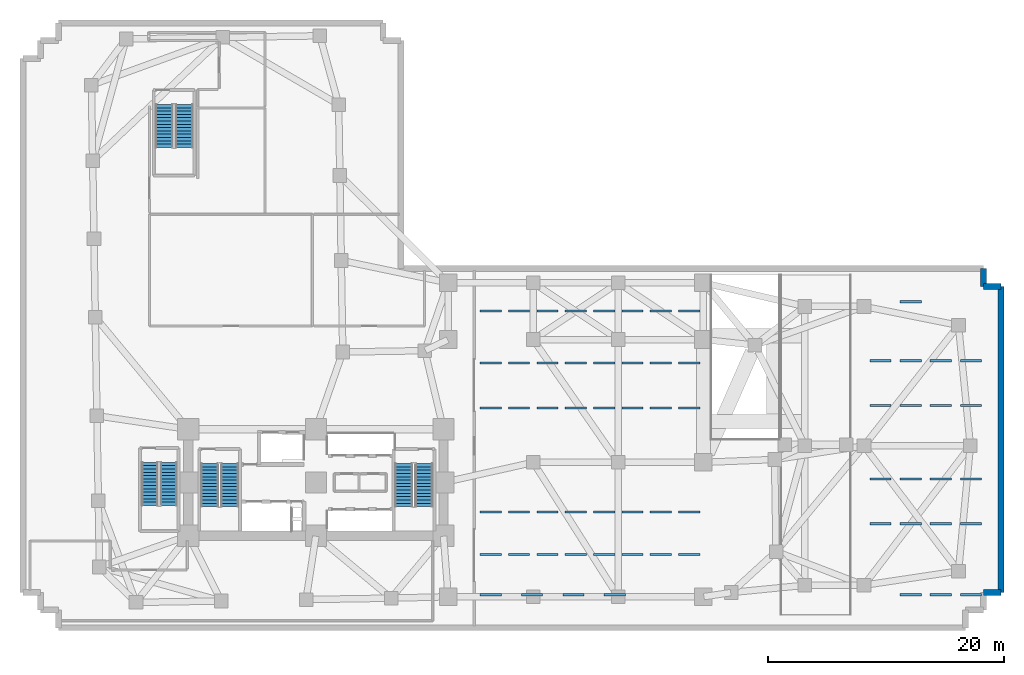
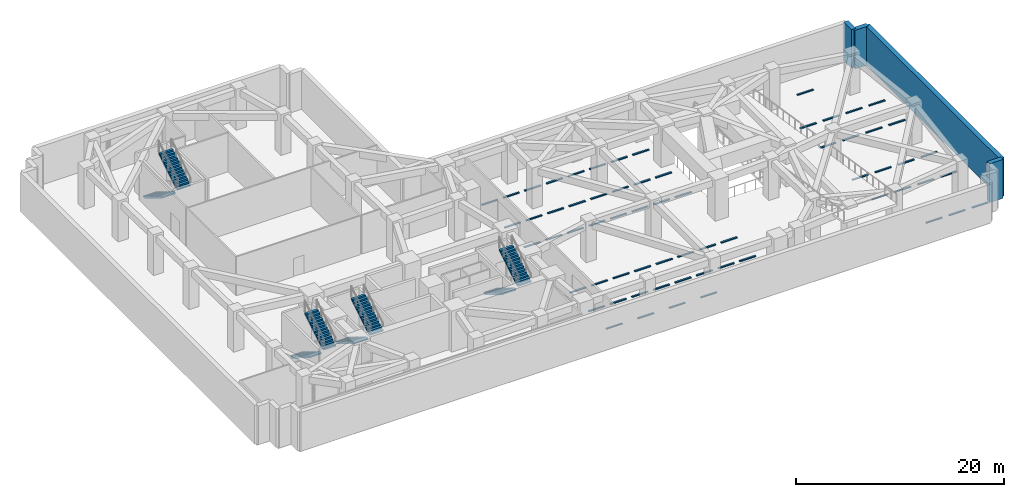
# One storey, part 7 of 11: 64 discrete accessories, 8 stair flights, 4 walls, 4 elements without a shape of their own.
"""IFC4 building model written with IfcOpenShell, lengths in metres."""

import ifcopenshell
import ifcopenshell.guid

model = None  # the IFC model being written
_history = None  # IfcOwnerHistory: only IFC2X3 demands one
_inside = {}  # id of a spatial element -> (the spatial element, [elements in it])
_under = {}  # id of a project, library or spatial element -> (it, [spatial elements below it])
_declared = {}  # id of a project -> (the project, [libraries it declares])
_typed = {}  # id of a type object -> (the type object, [elements of that type])
_made_of = {}  # id of a material, layer set ... -> (it, [elements and type objects made of it])


def new_model(schema):
    """Start an empty IFC model of exactly this schema.

    Asked for "IFC4X3", IfcOpenShell would pick the latest addendum, in which some entities
    have other attributes; the version numbers below select the first issue.
    IFC2X3 requires an IfcOwnerHistory on every rooted entity: one is made here for all.
    """
    global model, _history
    if schema == "IFC4X3":
        model = ifcopenshell.file(schema_version=(4, 3, 0, 0))
    else:
        model = ifcopenshell.file(schema=schema)
    _inside.clear()
    _under.clear()
    _declared.clear()
    _typed.clear()
    _made_of.clear()
    _history = None
    if model.schema == "IFC2X3":
        org = make("IfcOrganization", Name="unknown")
        user = make(
            "IfcPersonAndOrganization",
            ThePerson=make("IfcPerson", FamilyName="unknown"),
            TheOrganization=org,
        )
        app = make(
            "IfcApplication",
            ApplicationDeveloper=org,
            Version="unknown",
            ApplicationFullName="unknown",
            ApplicationIdentifier="unknown",
        )
        _history = make(
            "IfcOwnerHistory",
            OwningUser=user,
            OwningApplication=app,
            ChangeAction="ADDED",
            CreationDate=0,
        )
    return model


def make(cls, **values):
    """One entity of the class cls with the attributes given. An attribute that is None is left unset."""
    return model.create_entity(
        cls, **{name: value for name, value in values.items() if value is not None}
    )


def rooted(cls, **values):
    """An entity with a GlobalId (a new one), such as an element, a storey or a relation."""
    return make(cls, GlobalId=ifcopenshell.guid.new(), OwnerHistory=_history, **values)


def si_unit(unit_type, name, prefix=None):
    """IfcSIUnit, for example si_unit("LENGTHUNIT", "METRE", prefix="MILLI")."""
    return make("IfcSIUnit", UnitType=unit_type, Prefix=prefix, Name=name)


def assignment(units):
    """IfcUnitAssignment: the units of a project."""
    return None if units is None else make("IfcUnitAssignment", Units=units)


def point(xyz):
    """IfcCartesianPoint."""
    return None if xyz is None else make("IfcCartesianPoint", Coordinates=xyz)


def direction(xyz):
    """IfcDirection."""
    return None if xyz is None else make("IfcDirection", DirectionRatios=xyz)


def frame(location, z_axis=None, x_axis=None):
    """IfcAxis2Placement3D, a coordinate frame: its origin and axes. An axis left out is left unset."""
    return make(
        "IfcAxis2Placement3D",
        Location=point(location),
        Axis=direction(z_axis),
        RefDirection=direction(x_axis),
    )


def frame_2d(location, x_axis=None):
    """IfcAxis2Placement2D, a coordinate frame in the plane: its origin and x axis."""
    return make(
        "IfcAxis2Placement2D", Location=point(location), RefDirection=direction(x_axis)
    )


def origin():
    """The frame at (0, 0, 0) with its axes left unset."""
    return frame((0.0, 0.0, 0.0))


def origin_2d():
    """The frame at (0, 0) in the plane with its x axis left unset."""
    return frame_2d((0.0, 0.0))


def place(relative_to, where):
    """IfcLocalPlacement: puts the frame where relative to a parent placement (None: the world)."""
    return make(
        "IfcLocalPlacement", PlacementRelTo=relative_to, RelativePlacement=where
    )


def context(
    kind, dimensions, precision=None, world=None, true_north=None, identifier=None
):
    """IfcGeometricRepresentationContext, for example the 3D "Model" context."""
    return make(
        "IfcGeometricRepresentationContext",
        ContextIdentifier=identifier,
        ContextType=kind,
        CoordinateSpaceDimension=dimensions,
        Precision=precision,
        WorldCoordinateSystem=world,
        TrueNorth=true_north,
    )


def subcontext(parent, identifier, kind, view, scale=None):
    """IfcGeometricRepresentationSubContext, for example "Body" below "Model"."""
    return make(
        "IfcGeometricRepresentationSubContext",
        ContextIdentifier=identifier,
        ContextType=kind,
        ParentContext=parent,
        TargetScale=scale,
        TargetView=view,
    )


def project(units=None, contexts=None):
    """IfcProject with its units and contexts."""
    return rooted(
        "IfcProject",
        Name="project",
        RepresentationContexts=contexts,
        UnitsInContext=assignment(units),
    )


def spatial(cls, under=None, at=None, **own):
    """A site, building, storey or space (cls), placed at a placement, below another one or the project."""
    s = rooted(cls, ObjectPlacement=at, **own)
    if under is not None:
        _under.setdefault(under.id(), (under, []))[1].append(s)
    return s


def polyline(points):
    """IfcPolyline through the points."""
    return make("IfcPolyline", Points=[point(p) for p in points])


def profile(cls, at=None, kind="AREA", **sizes):
    """A parametric profile (cls). Its sizes go by their IFC names, for example OverallWidth=200.0."""
    return make(cls, ProfileType=kind, Position=at, **sizes)


def rectangle(**sizes):
    """IfcRectangleProfileDef."""
    return profile("IfcRectangleProfileDef", **sizes)


def outline(outer, holes=None, kind="AREA"):
    """IfcArbitraryClosedProfileDef: a profile drawn as a closed curve; with holes, ...WithVoids."""
    if holes is None:
        return make("IfcArbitraryClosedProfileDef", ProfileType=kind, OuterCurve=outer)
    return make(
        "IfcArbitraryProfileDefWithVoids",
        ProfileType=kind,
        OuterCurve=outer,
        InnerCurves=holes,
    )


def extrude(swept, where, along, depth):
    """IfcExtrudedAreaSolid: the profile swept, set in the frame where, extruded along a direction by depth."""
    return make(
        "IfcExtrudedAreaSolid",
        SweptArea=swept,
        Position=where,
        ExtrudedDirection=direction(along),
        Depth=depth,
    )


def shape(context_of_items, identifier, shape_type, items):
    """IfcShapeRepresentation: the items that make up one representation, for example the "Body"."""
    return make(
        "IfcShapeRepresentation",
        ContextOfItems=context_of_items,
        RepresentationIdentifier=identifier,
        RepresentationType=shape_type,
        Items=items,
    )


def material(Name=None, Category=None):
    """IfcMaterial."""
    return make("IfcMaterial", Name=Name, Category=Category)


def layer(
    of_material, thickness, ventilated=None, Name=None, Category=None, Priority=None
):
    """IfcMaterialLayer: one layer of a wall or slab, of a material (None: an air gap)."""
    return make(
        "IfcMaterialLayer",
        Material=of_material,
        LayerThickness=thickness,
        IsVentilated=ventilated,
        Name=Name,
        Category=Category,
        Priority=Priority,
    )


def layer_set(layers, Name=None):
    """IfcMaterialLayerSet."""
    return make("IfcMaterialLayerSet", MaterialLayers=layers, LayerSetName=Name)


def made_of(thing, what):
    """Note that an element or type object is made of a material, layer set ...; save() writes the relation."""
    if what is not None:
        _made_of.setdefault(what.id(), (what, []))[1].append(thing)
    return thing


def type_object(cls, material=None, **own):
    """A type object (cls), such as IfcWallType, which elements share."""
    return made_of(rooted(cls, **own), material)


def element(
    cls,
    number,
    at=None,
    inside=None,
    cuts=None,
    type_object=None,
    material=None,
    context=None,
    identifier="Body",
    shape_type=None,
    held_by="IfcProductDefinitionShape",
    body=None,
    shapes=None,
    **own,
):
    """One element of the class cls, such as IfcWall. Its Tag is "e" and its number.

    at: its placement. inside: the storey or other place that contains it. cuts: it is an
    opening in that element (IfcRelVoidsElement). A single representation is given by context,
    identifier, shape_type and body (its items); several are given by shapes. held_by: the class
    of the entity that holds the representations. save() writes the other relations.
    """
    e = rooted(cls, Tag="e%d" % number, ObjectPlacement=at, **own)
    if body is not None:
        shapes = [shape(context, identifier, shape_type, body)]
    if shapes is not None:
        e.Representation = make(held_by, Representations=shapes)
    if inside is not None:
        _inside.setdefault(inside.id(), (inside, []))[1].append(e)
    if cuts is not None:
        rooted(
            "IfcRelVoidsElement", RelatingBuildingElement=cuts, RelatedOpeningElement=e
        )
    if type_object is not None:
        _typed.setdefault(type_object.id(), (type_object, []))[1].append(e)
    return made_of(e, material)


def aggregate(whole, parts):
    """IfcRelAggregates: a whole, such as a stair, and the parts it consists of."""
    return rooted("IfcRelAggregates", RelatingObject=whole, RelatedObjects=parts)


def save(model, path):
    """Write the relations noted so far, then the file.

    IfcRelAggregates (storeys below a building ...), IfcRelContainedInSpatialStructure (elements
    in a storey), IfcRelDefinesByType, IfcRelAssociatesMaterial and IfcRelDeclares: one each for
    every whole, place, type object, material and project.
    """
    for whole, parts in _under.values():
        aggregate(whole, parts)
    for where, things in _inside.values():
        rooted(
            "IfcRelContainedInSpatialStructure",
            RelatedElements=things,
            RelatingStructure=where,
        )
    for kind, things in _typed.values():
        rooted("IfcRelDefinesByType", RelatedObjects=things, RelatingType=kind)
    for what, things in _made_of.values():
        rooted("IfcRelAssociatesMaterial", RelatedObjects=things, RelatingMaterial=what)
    for by, libraries in _declared.values():
        rooted("IfcRelDeclares", RelatingContext=by, RelatedDefinitions=libraries)
    model.write(path)


model = new_model("IFC4")

# Units and contexts
model_context = context("Model", 3, precision=1e-05, world=origin(), true_north=direction((0.0, 1.0)))
body_context = subcontext(model_context, "Body", "Model", "MODEL_VIEW")
ifc_project = project(units=[si_unit("LENGTHUNIT", "METRE"), si_unit("AREAUNIT", "SQUARE_METRE"), si_unit("VOLUMEUNIT", "CUBIC_METRE"), si_unit("PLANEANGLEUNIT", "RADIAN"), si_unit("MASSUNIT", "GRAM", prefix="KILO")], contexts=[model_context])

# Site, building, storey
site_placement = place(None, origin())
site = spatial("IfcSite", under=ifc_project, at=site_placement, CompositionType="ELEMENT")
building_placement = place(site_placement, origin())
building = spatial("IfcBuilding", under=site, at=building_placement, Name="Gaonmaruhae Medical Tower", CompositionType="ELEMENT")
storey_placement = place(building_placement, frame((0.0, 0.0, -4.800048828125)))
storey = spatial("IfcBuildingStorey", under=building, at=storey_placement, Name="B01", CompositionType="ELEMENT", Elevation=-4.800048828125)

# Walls
ifc_material_1 = material(Name="Concrete C50/60", Category="concrete")
ifc_layer = layer(ifc_material_1, 0.5)
ifc_layer_set = layer_set([ifc_layer], Name="Concrete C50/60")
wall_type = type_object("IfcWallType", Name="RW-500 Basement Perimeter Retaining Wall", PredefinedType="USERDEFINED", material=ifc_layer_set)
wall_1_placement = place(storey_placement, frame((82.800048828125, 3.0, 0.0), z_axis=(0.0, 0.0, 1.0), x_axis=(-1.0, 0.0, 0.0)))
element("IfcWall", 1, at=wall_1_placement, inside=storey, type_object=wall_type, Name="B01 Perimeter Retaining Wall RW05", ObjectType="RETAININGWALL", PredefinedType="USERDEFINED", context=body_context, shape_type="SweptSolid", body=[
    extrude(rectangle(XDim=1.5, YDim=0.5, at=frame_2d((0.75, 0.0))), origin(), (0.0, 0.0, 1.0), 4.550048828125),
])
wall_2_placement = place(storey_placement, frame((82.800048828125, 28.89990234375, 0.0), z_axis=(0.0, 0.0, 1.0), x_axis=(0.0, -1.0, 0.0)))
element("IfcWall", 2, at=wall_2_placement, inside=storey, type_object=wall_type, Name="B01 Perimeter Retaining Wall RW06", ObjectType="RETAININGWALL", PredefinedType="USERDEFINED", context=body_context, shape_type="SweptSolid", body=[
    extrude(rectangle(XDim=25.89990234375, YDim=0.5, at=frame_2d((12.949951171875, 0.0))), origin(), (0.0, 0.0, 1.0), 4.550048828125),
])
for number, where, z_axis, x_axis, name in (
    (3, (81.300048828125, 28.89990234375, 0.0), (0.0, 0.0, 1.0), (1.0, 0.0, 0.0), "B01 Perimeter Retaining Wall RW07"),
    (4, (81.300048828125, 30.39990234375, 0.0), (0.0, 0.0, 1.0), (0.0, -1.0, 0.0), "B01 Perimeter Retaining Wall RW08"),
):
    element("IfcWall", number, at=place(storey_placement, frame(where, z_axis=z_axis, x_axis=x_axis)), inside=storey, type_object=wall_type, Name=name, ObjectType="RETAININGWALL", PredefinedType="USERDEFINED", context=body_context, shape_type="SweptSolid", body=[
        extrude(rectangle(XDim=1.5, YDim=0.5, at=frame_2d((0.75, 0.0))), origin(), (0.0, 0.0, 1.0), 4.550048828125),
    ])

# Stair, stair flights
ifc_material_2 = material(Name="Concrete C40/50", Category="concrete")
stair_type_1 = type_object("IfcStairType", Name="ST-T1 Primary Core Escape Dogleg Stair", PredefinedType="TWO_QUARTER_TURN_STAIR", material=ifc_material_2)
stair_1_placement = place(storey_placement, origin())
stair_1 = element("IfcStair", 5, at=stair_1_placement, inside=storey, type_object=stair_type_1, Name="B01 Protected Escape Stair ST-01", PredefinedType="TWO_QUARTER_TURN_STAIR")
stair_flight_type_1 = type_object("IfcStairFlightType", Name="SF-T1 Primary Core Precast Stair Flight", PredefinedType="STRAIGHT", material=ifc_material_2)
stair_flight_1_placement = place(storey_placement, frame((15.800048828125, 13.89990234375, 0.0), z_axis=(0.0, 0.0, 1.0), x_axis=(0.0, -1.0, 0.0)))
stair_flight_1 = element("IfcStairFlight", 6, at=stair_flight_1_placement, type_object=stair_flight_type_1, Name="ST-01 flight 1", NumberOfRisers=14, NumberOfTreads=13, PredefinedType="STRAIGHT", RiserHeight=0.171428571, TreadLength=0.28, context=body_context, shape_type="SweptSolid", body=[
    extrude(outline(polyline([(0.0, 0.0), (0.0, 0.17138671875), (0.280029296875, 0.17138671875), (0.280029296875, 0.3427734375), (0.56005859375, 0.3427734375), (0.56005859375, 0.514404296875), (0.840087890625, 0.514404296875), (0.840087890625, 0.685791015625), (1.1201171875, 0.685791015625), (1.1201171875, 0.857177734375), (1.39990234375, 0.857177734375), (1.39990234375, 1.028564453125), (1.679931640625, 1.028564453125), (1.679931640625, 1.199951171875), (1.9599609375, 1.199951171875), (1.9599609375, 1.371337890625), (2.239990234375, 1.371337890625), (2.239990234375, 1.54296875), (2.52001953125, 1.54296875), (2.52001953125, 1.71435546875), (2.800048828125, 1.71435546875), (2.800048828125, 1.8857421875), (3.080078125, 1.8857421875), (3.080078125, 2.05712890625), (3.360107421875, 2.05712890625), (3.360107421875, 2.228515625), (3.639892578125, 2.228515625), (3.639892578125, 2.39990234375), (3.639892578125, 2.052734375), (0.287109375, 0.0), (0.0, 0.0)])), frame((0.0, 0.75, 0.0), z_axis=(0.0, -1.0, 0.0), x_axis=(1.0, 0.0, 0.0)), (0.0, 0.0, 1.0), 1.5),
])
stair_flight_2_placement = place(storey_placement, frame((17.5, 10.260009765625, 2.400146484375), z_axis=(0.0, 0.0, 1.0), x_axis=(0.0, 1.0, 0.0)))
stair_flight_2 = element("IfcStairFlight", 7, at=stair_flight_2_placement, type_object=stair_flight_type_1, Name="ST-01 flight 2", NumberOfRisers=14, NumberOfTreads=13, PredefinedType="STRAIGHT", RiserHeight=0.171428571, TreadLength=0.28, context=body_context, shape_type="SweptSolid", body=[
    extrude(outline(polyline([(0.0, 0.0), (0.0, 0.17138671875), (0.280029296875, 0.17138671875), (0.280029296875, 0.3427734375), (0.56005859375, 0.3427734375), (0.56005859375, 0.514404296875), (0.840087890625, 0.514404296875), (0.840087890625, 0.685791015625), (1.1201171875, 0.685791015625), (1.1201171875, 0.857177734375), (1.39990234375, 0.857177734375), (1.39990234375, 1.028564453125), (1.679931640625, 1.028564453125), (1.679931640625, 1.199951171875), (1.9599609375, 1.199951171875), (1.9599609375, 1.371337890625), (2.239990234375, 1.371337890625), (2.239990234375, 1.54296875), (2.52001953125, 1.54296875), (2.52001953125, 1.71435546875), (2.800048828125, 1.71435546875), (2.800048828125, 1.8857421875), (3.080078125, 1.8857421875), (3.080078125, 2.05712890625), (3.360107421875, 2.05712890625), (3.360107421875, 2.228515625), (3.639892578125, 2.228515625), (3.639892578125, 2.39990234375), (3.639892578125, 2.052734375), (0.287109375, 0.0), (0.0, 0.0)])), frame((0.0, 0.75, 0.0), z_axis=(0.0, -1.0, 0.0), x_axis=(1.0, 0.0, 0.0)), (0.0, 0.0, 1.0), 1.5),
])
aggregate(stair_1, [stair_flight_1, stair_flight_2])

stair_2_placement = place(storey_placement, origin())
stair_2 = element("IfcStair", 8, at=stair_2_placement, inside=storey, type_object=stair_type_1, Name="B01 Protected Escape Stair ST-02", PredefinedType="TWO_QUARTER_TURN_STAIR")
stair_flight_3_placement = place(storey_placement, frame((32.25, 13.89990234375, 0.0), z_axis=(0.0, 0.0, 1.0), x_axis=(0.0, -1.0, 0.0)))
stair_flight_3 = element("IfcStairFlight", 9, at=stair_flight_3_placement, type_object=stair_flight_type_1, Name="ST-02 flight 1", NumberOfRisers=14, NumberOfTreads=13, PredefinedType="STRAIGHT", RiserHeight=0.171428571, TreadLength=0.28, context=body_context, shape_type="SweptSolid", body=[
    extrude(outline(polyline([(0.0, 0.0), (0.0, 0.17138671875), (0.280029296875, 0.17138671875), (0.280029296875, 0.3427734375), (0.56005859375, 0.3427734375), (0.56005859375, 0.514404296875), (0.840087890625, 0.514404296875), (0.840087890625, 0.685791015625), (1.1201171875, 0.685791015625), (1.1201171875, 0.857177734375), (1.39990234375, 0.857177734375), (1.39990234375, 1.028564453125), (1.679931640625, 1.028564453125), (1.679931640625, 1.199951171875), (1.9599609375, 1.199951171875), (1.9599609375, 1.371337890625), (2.239990234375, 1.371337890625), (2.239990234375, 1.54296875), (2.52001953125, 1.54296875), (2.52001953125, 1.71435546875), (2.800048828125, 1.71435546875), (2.800048828125, 1.8857421875), (3.080078125, 1.8857421875), (3.080078125, 2.05712890625), (3.360107421875, 2.05712890625), (3.360107421875, 2.228515625), (3.639892578125, 2.228515625), (3.639892578125, 2.39990234375), (3.639892578125, 2.052734375), (0.287109375, 0.0), (0.0, 0.0)])), frame((0.0, 0.75, 0.0), z_axis=(0.0, -1.0, 0.0), x_axis=(1.0, 0.0, 0.0)), (0.0, 0.0, 1.0), 1.5),
])
stair_flight_4_placement = place(storey_placement, frame((33.949951171875, 10.260009765625, 2.400146484375), z_axis=(0.0, 0.0, 1.0), x_axis=(0.0, 1.0, 0.0)))
stair_flight_4 = element("IfcStairFlight", 10, at=stair_flight_4_placement, type_object=stair_flight_type_1, Name="ST-02 flight 2", NumberOfRisers=14, NumberOfTreads=13, PredefinedType="STRAIGHT", RiserHeight=0.171428571, TreadLength=0.28, context=body_context, shape_type="SweptSolid", body=[
    extrude(outline(polyline([(0.0, 0.0), (0.0, 0.17138671875), (0.280029296875, 0.17138671875), (0.280029296875, 0.3427734375), (0.56005859375, 0.3427734375), (0.56005859375, 0.514404296875), (0.840087890625, 0.514404296875), (0.840087890625, 0.685791015625), (1.1201171875, 0.685791015625), (1.1201171875, 0.857177734375), (1.39990234375, 0.857177734375), (1.39990234375, 1.028564453125), (1.679931640625, 1.028564453125), (1.679931640625, 1.199951171875), (1.9599609375, 1.199951171875), (1.9599609375, 1.371337890625), (2.239990234375, 1.371337890625), (2.239990234375, 1.54296875), (2.52001953125, 1.54296875), (2.52001953125, 1.71435546875), (2.800048828125, 1.71435546875), (2.800048828125, 1.8857421875), (3.080078125, 1.8857421875), (3.080078125, 2.05712890625), (3.360107421875, 2.05712890625), (3.360107421875, 2.228515625), (3.639892578125, 2.228515625), (3.639892578125, 2.39990234375), (3.639892578125, 2.052734375), (0.287109375, 0.0), (0.0, 0.0)])), frame((0.0, 0.75, 0.0), z_axis=(0.0, -1.0, 0.0), x_axis=(1.0, 0.0, 0.0)), (0.0, 0.0, 1.0), 1.5),
])
aggregate(stair_2, [stair_flight_3, stair_flight_4])

stair_type_2 = type_object("IfcStairType", Name="ST-T2 Zone 1 Escape Dogleg Stair", PredefinedType="TWO_QUARTER_TURN_STAIR", material=ifc_material_2)
stair_3_placement = place(storey_placement, origin())
stair_3 = element("IfcStair", 11, at=stair_3_placement, inside=storey, type_object=stair_type_2, Name="B01 Protected Escape Stair ST-03", PredefinedType="TWO_QUARTER_TURN_STAIR")
stair_flight_type_2 = type_object("IfcStairFlightType", Name="SF-T2 Zone 1 Precast Stair Flight", PredefinedType="STRAIGHT", material=ifc_material_2)
stair_flight_5_placement = place(storey_placement, frame((10.75, 14.0, 0.0), z_axis=(0.0, 0.0, 1.0), x_axis=(0.0, -1.0, 0.0)))
stair_flight_5 = element("IfcStairFlight", 12, at=stair_flight_5_placement, type_object=stair_flight_type_2, Name="ST-03 flight 1", NumberOfRisers=14, NumberOfTreads=13, PredefinedType="STRAIGHT", RiserHeight=0.171428571, TreadLength=0.28, context=body_context, shape_type="SweptSolid", body=[
    extrude(outline(polyline([(0.0, 0.0), (0.0, 0.17138671875), (0.280029296875, 0.17138671875), (0.280029296875, 0.3427734375), (0.56005859375, 0.3427734375), (0.56005859375, 0.514404296875), (0.840087890625, 0.514404296875), (0.840087890625, 0.685791015625), (1.1201171875, 0.685791015625), (1.1201171875, 0.857177734375), (1.39990234375, 0.857177734375), (1.39990234375, 1.028564453125), (1.679931640625, 1.028564453125), (1.679931640625, 1.199951171875), (1.9599609375, 1.199951171875), (1.9599609375, 1.371337890625), (2.239990234375, 1.371337890625), (2.239990234375, 1.54296875), (2.52001953125, 1.54296875), (2.52001953125, 1.71435546875), (2.800048828125, 1.71435546875), (2.800048828125, 1.8857421875), (3.080078125, 1.8857421875), (3.080078125, 2.05712890625), (3.360107421875, 2.05712890625), (3.360107421875, 2.228515625), (3.639892578125, 2.228515625), (3.639892578125, 2.39990234375), (3.639892578125, 2.052734375), (0.287109375, 0.0), (0.0, 0.0)])), frame((0.0, 0.699951171875, 0.0), z_axis=(0.0, -1.0, 0.0), x_axis=(1.0, 0.0, 0.0)), (0.0, 0.0, 1.0), 1.39990234375),
])
stair_flight_6_placement = place(storey_placement, frame((12.35009765625, 10.360107421875, 2.400146484375), z_axis=(0.0, 0.0, 1.0), x_axis=(0.0, 1.0, 0.0)))
stair_flight_6 = element("IfcStairFlight", 13, at=stair_flight_6_placement, type_object=stair_flight_type_2, Name="ST-03 flight 2", NumberOfRisers=14, NumberOfTreads=13, PredefinedType="STRAIGHT", RiserHeight=0.171428571, TreadLength=0.28, context=body_context, shape_type="SweptSolid", body=[
    extrude(outline(polyline([(0.0, 0.0), (0.0, 0.17138671875), (0.280029296875, 0.17138671875), (0.280029296875, 0.3427734375), (0.56005859375, 0.3427734375), (0.56005859375, 0.514404296875), (0.840087890625, 0.514404296875), (0.840087890625, 0.685791015625), (1.1201171875, 0.685791015625), (1.1201171875, 0.857177734375), (1.39990234375, 0.857177734375), (1.39990234375, 1.028564453125), (1.679931640625, 1.028564453125), (1.679931640625, 1.199951171875), (1.9599609375, 1.199951171875), (1.9599609375, 1.371337890625), (2.239990234375, 1.371337890625), (2.239990234375, 1.54296875), (2.52001953125, 1.54296875), (2.52001953125, 1.71435546875), (2.800048828125, 1.71435546875), (2.800048828125, 1.8857421875), (3.080078125, 1.8857421875), (3.080078125, 2.05712890625), (3.360107421875, 2.05712890625), (3.360107421875, 2.228515625), (3.639892578125, 2.228515625), (3.639892578125, 2.39990234375), (3.639892578125, 2.052734375), (0.287109375, 0.0), (0.0, 0.0)])), frame((0.0, 0.699951171875, 0.0), z_axis=(0.0, -1.0, 0.0), x_axis=(1.0, 0.0, 0.0)), (0.0, 0.0, 1.0), 1.39990234375),
])
aggregate(stair_3, [stair_flight_5, stair_flight_6])

stair_type_3 = type_object("IfcStairType", Name="ST-T3 Podium Escape Dogleg Stair", PredefinedType="TWO_QUARTER_TURN_STAIR", material=ifc_material_2)
stair_4_placement = place(storey_placement, origin())
stair_4 = element("IfcStair", 14, at=stair_4_placement, inside=storey, type_object=stair_type_3, Name="B01 Protected Escape Stair ST-05", PredefinedType="TWO_QUARTER_TURN_STAIR")
stair_flight_type_3 = type_object("IfcStairFlightType", Name="SF-T3 Podium Precast Stair Flight", PredefinedType="STRAIGHT", material=ifc_material_2)
stair_flight_7_placement = place(storey_placement, frame((11.949951171875, 44.300048828125, 0.0), z_axis=(0.0, 0.0, 1.0), x_axis=(0.0, -1.0, 0.0)))
stair_flight_7 = element("IfcStairFlight", 15, at=stair_flight_7_placement, type_object=stair_flight_type_3, Name="ST-05 flight 1", NumberOfRisers=14, NumberOfTreads=13, PredefinedType="STRAIGHT", RiserHeight=0.171428571, TreadLength=0.28, context=body_context, shape_type="SweptSolid", body=[
    extrude(outline(polyline([(0.0, 0.0), (0.0, 0.17138671875), (0.280029296875, 0.17138671875), (0.280029296875, 0.3427734375), (0.56005859375, 0.3427734375), (0.56005859375, 0.514404296875), (0.840087890625, 0.514404296875), (0.840087890625, 0.685791015625), (1.1201171875, 0.685791015625), (1.1201171875, 0.857177734375), (1.39990234375, 0.857177734375), (1.39990234375, 1.028564453125), (1.679931640625, 1.028564453125), (1.679931640625, 1.199951171875), (1.9599609375, 1.199951171875), (1.9599609375, 1.371337890625), (2.239990234375, 1.371337890625), (2.239990234375, 1.54296875), (2.52001953125, 1.54296875), (2.52001953125, 1.71435546875), (2.800048828125, 1.71435546875), (2.800048828125, 1.8857421875), (3.080078125, 1.8857421875), (3.080078125, 2.05712890625), (3.360107421875, 2.05712890625), (3.360107421875, 2.228515625), (3.639892578125, 2.228515625), (3.639892578125, 2.39990234375), (3.639892578125, 2.052734375), (0.287109375, 0.0), (0.0, 0.0)])), frame((0.0, 0.75, 0.0), z_axis=(0.0, -1.0, 0.0), x_axis=(1.0, 0.0, 0.0)), (0.0, 0.0, 1.0), 1.5),
])
stair_flight_8_placement = place(storey_placement, frame((13.64990234375, 40.659912109375, 2.400146484375), z_axis=(0.0, 0.0, 1.0), x_axis=(0.0, 1.0, 0.0)))
stair_flight_8 = element("IfcStairFlight", 16, at=stair_flight_8_placement, type_object=stair_flight_type_3, Name="ST-05 flight 2", NumberOfRisers=14, NumberOfTreads=13, PredefinedType="STRAIGHT", RiserHeight=0.171428571, TreadLength=0.28, context=body_context, shape_type="SweptSolid", body=[
    extrude(outline(polyline([(0.0, 0.0), (0.0, 0.17138671875), (0.280029296875, 0.17138671875), (0.280029296875, 0.3427734375), (0.56005859375, 0.3427734375), (0.56005859375, 0.514404296875), (0.840087890625, 0.514404296875), (0.840087890625, 0.685791015625), (1.1201171875, 0.685791015625), (1.1201171875, 0.857177734375), (1.39990234375, 0.857177734375), (1.39990234375, 1.028564453125), (1.679931640625, 1.028564453125), (1.679931640625, 1.199951171875), (1.9599609375, 1.199951171875), (1.9599609375, 1.371337890625), (2.239990234375, 1.371337890625), (2.239990234375, 1.54296875), (2.52001953125, 1.54296875), (2.52001953125, 1.71435546875), (2.800048828125, 1.71435546875), (2.800048828125, 1.8857421875), (3.080078125, 1.8857421875), (3.080078125, 2.05712890625), (3.360107421875, 2.05712890625), (3.360107421875, 2.228515625), (3.639892578125, 2.228515625), (3.639892578125, 2.39990234375), (3.639892578125, 2.052734375), (0.287109375, 0.0), (0.0, 0.0)])), frame((0.0, 0.75, 0.0), z_axis=(0.0, -1.0, 0.0), x_axis=(1.0, 0.0, 0.0)), (0.0, 0.0, 1.0), 1.5),
])
aggregate(stair_4, [stair_flight_7, stair_flight_8])

# Discrete accessories
ifc_material_3 = material(Name="Precast concrete C45/55", Category="concrete")
discrete_accessory_type_1 = type_object("IfcDiscreteAccessoryType", Name="PK-WS1 Car Parking Bay Wheel Stop", PredefinedType="USERDEFINED", material=ifc_material_3)
for number, where, z_axis, x_axis, name in (
    (17, (39.60009765625, 6.199951171875, 0.0), (0.0, 0.0, 1.0), (1.0, 0.0, 0.0), "B01 Car Parking Bay 01 Wheel Stop"),
    (18, (42.0, 6.199951171875, 0.0), (0.0, 0.0, 1.0), (1.0, 0.0, 0.0), "B01 Car Parking Bay 02 Wheel Stop"),
    (19, (44.39990234375, 6.199951171875, 0.0), (0.0, 0.0, 1.0), (1.0, 0.0, 0.0), "B01 Car Parking Bay 03 Wheel Stop"),
    (20, (46.800048828125, 6.199951171875, 0.0), (0.0, 0.0, 1.0), (1.0, 0.0, 0.0), "B01 Car Parking Bay 04 Wheel Stop"),
    (21, (49.199951171875, 6.199951171875, 0.0), (0.0, 0.0, 1.0), (1.0, 0.0, 0.0), "B01 Car Parking Bay 05 Wheel Stop"),
    (22, (51.60009765625, 6.199951171875, 0.0), (0.0, 0.0, 1.0), (1.0, 0.0, 0.0), "B01 Car Parking Bay 06 Wheel Stop"),
    (23, (54.0, 6.199951171875, 0.0), (0.0, 0.0, 1.0), (1.0, 0.0, 0.0), "B01 Car Parking Bay 07 Wheel Stop"),
    (24, (56.39990234375, 6.199951171875, 0.0), (0.0, 0.0, 1.0), (1.0, 0.0, 0.0), "B01 Car Parking Bay 08 Wheel Stop"),
    (25, (39.60009765625, 9.800048828125, 0.0), (0.0, 0.0, 1.0), (1.0, 0.0, 0.0), "B01 Car Parking Bay 09 Wheel Stop"),
    (26, (42.0, 9.800048828125, 0.0), (0.0, 0.0, 1.0), (1.0, 0.0, 0.0), "B01 Car Parking Bay 10 Wheel Stop"),
    (27, (44.39990234375, 9.800048828125, 0.0), (0.0, 0.0, 1.0), (1.0, 0.0, 0.0), "B01 Car Parking Bay 11 Wheel Stop"),
    (28, (46.800048828125, 9.800048828125, 0.0), (0.0, 0.0, 1.0), (1.0, 0.0, 0.0), "B01 Car Parking Bay 12 Wheel Stop"),
    (29, (49.199951171875, 9.800048828125, 0.0), (0.0, 0.0, 1.0), (1.0, 0.0, 0.0), "B01 Car Parking Bay 13 Wheel Stop"),
    (30, (51.60009765625, 9.800048828125, 0.0), (0.0, 0.0, 1.0), (1.0, 0.0, 0.0), "B01 Car Parking Bay 14 Wheel Stop"),
    (31, (54.0, 9.800048828125, 0.0), (0.0, 0.0, 1.0), (1.0, 0.0, 0.0), "B01 Car Parking Bay 15 Wheel Stop"),
    (32, (56.39990234375, 9.800048828125, 0.0), (0.0, 0.0, 1.0), (1.0, 0.0, 0.0), "B01 Car Parking Bay 16 Wheel Stop"),
    (33, (39.60009765625, 18.60009765625, 0.0), (0.0, 0.0, 1.0), (1.0, 0.0, 0.0), "B01 Car Parking Bay 17 Wheel Stop"),
    (34, (42.0, 18.60009765625, 0.0), (0.0, 0.0, 1.0), (1.0, 0.0, 0.0), "B01 Car Parking Bay 18 Wheel Stop"),
    (35, (44.39990234375, 18.60009765625, 0.0), (0.0, 0.0, 1.0), (1.0, 0.0, 0.0), "B01 Car Parking Bay 19 Wheel Stop"),
    (36, (46.800048828125, 18.60009765625, 0.0), (0.0, 0.0, 1.0), (1.0, 0.0, 0.0), "B01 Car Parking Bay 20 Wheel Stop"),
    (37, (49.199951171875, 18.60009765625, 0.0), (0.0, 0.0, 1.0), (1.0, 0.0, 0.0), "B01 Car Parking Bay 21 Wheel Stop"),
    (38, (51.60009765625, 18.60009765625, 0.0), (0.0, 0.0, 1.0), (1.0, 0.0, 0.0), "B01 Car Parking Bay 22 Wheel Stop"),
    (39, (54.0, 18.60009765625, 0.0), (0.0, 0.0, 1.0), (1.0, 0.0, 0.0), "B01 Car Parking Bay 23 Wheel Stop"),
    (40, (56.39990234375, 18.60009765625, 0.0), (0.0, 0.0, 1.0), (1.0, 0.0, 0.0), "B01 Car Parking Bay 24 Wheel Stop"),
    (41, (39.60009765625, 22.39990234375, 0.0), (0.0, 0.0, 1.0), (1.0, 0.0, 0.0), "B01 Car Parking Bay 25 Wheel Stop"),
    (42, (42.0, 22.39990234375, 0.0), (0.0, 0.0, 1.0), (1.0, 0.0, 0.0), "B01 Car Parking Bay 26 Wheel Stop"),
    (43, (44.39990234375, 22.39990234375, 0.0), (0.0, 0.0, 1.0), (1.0, 0.0, 0.0), "B01 Car Parking Bay 27 Wheel Stop"),
    (44, (46.800048828125, 22.39990234375, 0.0), (0.0, 0.0, 1.0), (1.0, 0.0, 0.0), "B01 Car Parking Bay 28 Wheel Stop"),
    (45, (49.199951171875, 22.39990234375, 0.0), (0.0, 0.0, 1.0), (1.0, 0.0, 0.0), "B01 Car Parking Bay 29 Wheel Stop"),
    (46, (51.60009765625, 22.39990234375, 0.0), (0.0, 0.0, 1.0), (1.0, 0.0, 0.0), "B01 Car Parking Bay 30 Wheel Stop"),
    (47, (54.0, 22.39990234375, 0.0), (0.0, 0.0, 1.0), (1.0, 0.0, 0.0), "B01 Car Parking Bay 31 Wheel Stop"),
    (48, (56.39990234375, 22.39990234375, 0.0), (0.0, 0.0, 1.0), (1.0, 0.0, 0.0), "B01 Car Parking Bay 32 Wheel Stop"),
    (49, (39.60009765625, 26.800048828125, 0.0), (0.0, 0.0, 1.0), (1.0, 0.0, 0.0), "B01 Car Parking Bay 33 Wheel Stop"),
    (50, (42.0, 26.800048828125, 0.0), (0.0, 0.0, 1.0), (1.0, 0.0, 0.0), "B01 Car Parking Bay 34 Wheel Stop"),
    (51, (44.39990234375, 26.800048828125, 0.0), (0.0, 0.0, 1.0), (1.0, 0.0, 0.0), "B01 Car Parking Bay 35 Wheel Stop"),
    (52, (46.800048828125, 26.800048828125, 0.0), (0.0, 0.0, 1.0), (1.0, 0.0, 0.0), "B01 Car Parking Bay 36 Wheel Stop"),
    (53, (49.199951171875, 26.800048828125, 0.0), (0.0, 0.0, 1.0), (1.0, 0.0, 0.0), "B01 Car Parking Bay 37 Wheel Stop"),
    (54, (51.60009765625, 26.800048828125, 0.0), (0.0, 0.0, 1.0), (1.0, 0.0, 0.0), "B01 Car Parking Bay 38 Wheel Stop"),
    (55, (54.0, 26.800048828125, 0.0), (0.0, 0.0, 1.0), (1.0, 0.0, 0.0), "B01 Car Parking Bay 39 Wheel Stop"),
    (56, (56.39990234375, 26.800048828125, 0.0), (0.0, 0.0, 1.0), (1.0, 0.0, 0.0), "B01 Car Parking Bay 40 Wheel Stop"),
    (57, (75.14990234375, 2.800048828125, 0.0), (0.0, 0.0, 1.0), (1.0, 0.0, 0.0), "B01 Car Parking Bay 41 Wheel Stop"),
    (58, (77.699951171875, 2.800048828125, 0.0), (0.0, 0.0, 1.0), (1.0, 0.0, 0.0), "B01 Car Parking Bay 42 Wheel Stop"),
    (59, (80.25, 2.800048828125, 0.0), (0.0, 0.0, 1.0), (1.0, 0.0, 0.0), "B01 Car Parking Bay 43 Wheel Stop"),
    (60, (72.60009765625, 8.800048828125, 0.0), (0.0, 0.0, 1.0), (1.0, 0.0, 0.0), "B01 Car Parking Bay 44 Wheel Stop"),
    (61, (75.14990234375, 8.800048828125, 0.0), (0.0, 0.0, 1.0), (1.0, 0.0, 0.0), "B01 Car Parking Bay 45 Wheel Stop"),
    (62, (77.699951171875, 8.800048828125, 0.0), (0.0, 0.0, 1.0), (1.0, 0.0, 0.0), "B01 Car Parking Bay 46 Wheel Stop"),
    (63, (80.25, 8.800048828125, 0.0), (0.0, 0.0, 1.0), (1.0, 0.0, 0.0), "B01 Car Parking Bay 47 Wheel Stop"),
    (64, (72.60009765625, 12.60009765625, 0.0), (0.0, 0.0, 1.0), (1.0, 0.0, 0.0), "B01 Car Parking Bay 48 Wheel Stop"),
    (65, (75.14990234375, 12.60009765625, 0.0), (0.0, 0.0, 1.0), (1.0, 0.0, 0.0), "B01 Car Parking Bay 49 Wheel Stop"),
    (66, (77.699951171875, 12.60009765625, 0.0), (0.0, 0.0, 1.0), (1.0, 0.0, 0.0), "B01 Car Parking Bay 50 Wheel Stop"),
    (67, (80.25, 12.60009765625, 0.0), (0.0, 0.0, 1.0), (1.0, 0.0, 0.0), "B01 Car Parking Bay 51 Wheel Stop"),
    (68, (72.60009765625, 18.800048828125, 0.0), (0.0, 0.0, 1.0), (1.0, 0.0, 0.0), "B01 Car Parking Bay 52 Wheel Stop"),
    (69, (75.14990234375, 18.800048828125, 0.0), (0.0, 0.0, 1.0), (1.0, 0.0, 0.0), "B01 Car Parking Bay 53 Wheel Stop"),
    (70, (77.699951171875, 18.800048828125, 0.0), (0.0, 0.0, 1.0), (1.0, 0.0, 0.0), "B01 Car Parking Bay 54 Wheel Stop"),
    (71, (80.25, 18.800048828125, 0.0), (0.0, 0.0, 1.0), (1.0, 0.0, 0.0), "B01 Car Parking Bay 55 Wheel Stop"),
    (72, (72.60009765625, 22.60009765625, 0.0), (0.0, 0.0, 1.0), (1.0, 0.0, 0.0), "B01 Car Parking Bay 56 Wheel Stop"),
    (73, (75.14990234375, 22.60009765625, 0.0), (0.0, 0.0, 1.0), (1.0, 0.0, 0.0), "B01 Car Parking Bay 57 Wheel Stop"),
    (74, (77.699951171875, 22.60009765625, 0.0), (0.0, 0.0, 1.0), (1.0, 0.0, 0.0), "B01 Car Parking Bay 58 Wheel Stop"),
    (75, (80.25, 22.60009765625, 0.0), (0.0, 0.0, 1.0), (1.0, 0.0, 0.0), "B01 Car Parking Bay 59 Wheel Stop"),
    (76, (75.14990234375, 27.60009765625, 0.0), (0.0, 0.0, 1.0), (1.0, 0.0, 0.0), "B01 Car Parking Bay 60 Wheel Stop"),
):
    element("IfcDiscreteAccessory", number, at=place(storey_placement, frame(where, z_axis=z_axis, x_axis=x_axis)), inside=storey, type_object=discrete_accessory_type_1, Name=name, ObjectType="WHEEL_STOP", PredefinedType="USERDEFINED", context=body_context, shape_type="SweptSolid", body=[
        extrude(rectangle(XDim=1.800048828125, YDim=0.179931640625, at=origin_2d()), origin(), (0.0, 0.0, 1.0), 0.1201171875),
    ])
discrete_accessory_type_2 = type_object("IfcDiscreteAccessoryType", Name="PK-WSA Accessible Parking Bay Wheel Stop", PredefinedType="USERDEFINED", material=ifc_material_3)
for number, where, z_axis, x_axis, name in (
    (77, (39.60009765625, 2.800048828125, 0.0), (0.0, 0.0, 1.0), (1.0, 0.0, 0.0), "B01 Accessible Parking Bay 01 Wheel Stop"),
    (78, (43.10009765625, 2.800048828125, 0.0), (0.0, 0.0, 1.0), (1.0, 0.0, 0.0), "B01 Accessible Parking Bay 02 Wheel Stop"),
    (79, (46.60009765625, 2.800048828125, 0.0), (0.0, 0.0, 1.0), (1.0, 0.0, 0.0), "B01 Accessible Parking Bay 03 Wheel Stop"),
    (80, (50.10009765625, 2.800048828125, 0.0), (0.0, 0.0, 1.0), (1.0, 0.0, 0.0), "B01 Accessible Parking Bay 04 Wheel Stop"),
):
    element("IfcDiscreteAccessory", number, at=place(storey_placement, frame(where, z_axis=z_axis, x_axis=x_axis)), inside=storey, type_object=discrete_accessory_type_2, Name=name, ObjectType="WHEEL_STOP", PredefinedType="USERDEFINED", context=body_context, shape_type="SweptSolid", body=[
        extrude(rectangle(XDim=1.800048828125, YDim=0.179931640625, at=origin_2d()), origin(), (0.0, 0.0, 1.0), 0.1201171875),
    ])

save(model, "model.ifc")
